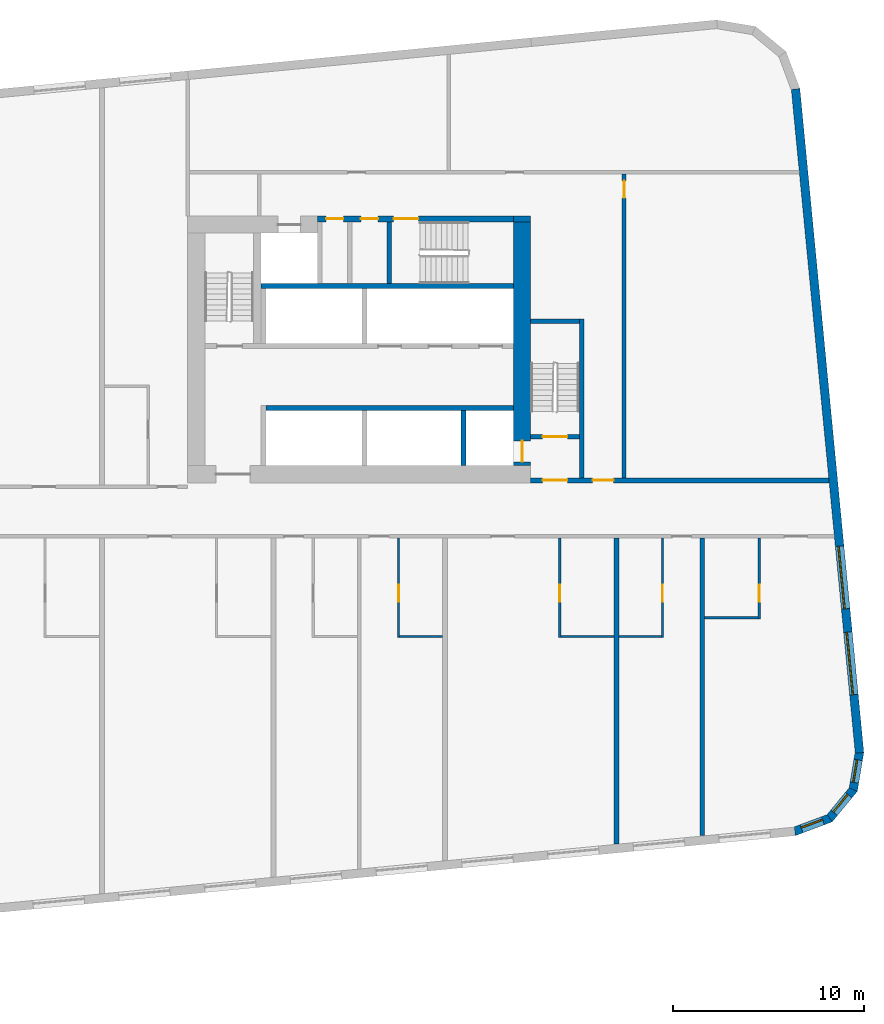
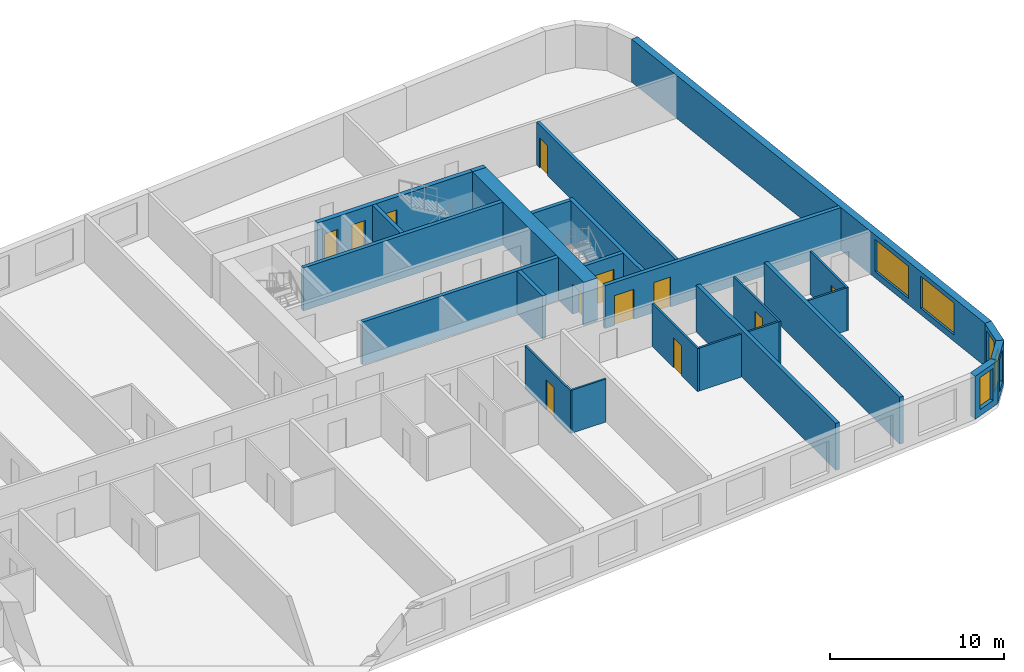
# One storey, part 7 of 12: 26 walls, 12 doors, 5 windows, 17 openings.
"""IFC4 building model written with IfcOpenShell, lengths in metres."""

from ifc_helpers import new_model, si_unit, direction, frame, frame_2d, origin, place, context, subcontext, project, spatial, polyline, rectangle, outline, extrude, material, layer, layer_set, type_object, element, fill, save


model = new_model("IFC4")

# Units and contexts
model_context = context("Model", 3, precision=1e-05, world=origin(), true_north=direction((0.0, 1.0)))
body_context = subcontext(model_context, "Body", "Model", "MODEL_VIEW")
ifc_project = project(units=[si_unit("LENGTHUNIT", "METRE"), si_unit("AREAUNIT", "SQUARE_METRE"), si_unit("VOLUMEUNIT", "CUBIC_METRE"), si_unit("PLANEANGLEUNIT", "RADIAN"), si_unit("MASSUNIT", "GRAM", prefix="KILO")], contexts=[model_context])

# Site, building, storey
site_placement = place(None, origin())
site = spatial("IfcSite", under=ifc_project, at=site_placement, CompositionType="ELEMENT")
building_placement = place(site_placement, origin())
building = spatial("IfcBuilding", under=site, at=building_placement, Name="Kajstack Hotel Tower", CompositionType="ELEMENT")
storey_placement = place(building_placement, frame((0.0, 0.0, 143.800048828125)))
storey = spatial("IfcBuildingStorey", under=building, at=storey_placement, Name="L33", CompositionType="ELEMENT", Elevation=143.800048828125)

# Wall
ifc_material_1 = material(Name="Concrete C60/75", Category="concrete")
ifc_layer_1 = layer(ifc_material_1, 0.89990234375)
ifc_layer_set_1 = layer_set([ifc_layer_1], Name="Core wall 900")
wall_type_1 = type_object("IfcWallType", Name="Core wall 900", PredefinedType="SHEAR", material=ifc_layer_set_1)
wall_1_placement = place(storey_placement, frame((30.60009765625, 15.35009765625, 0.0), z_axis=(0.0, 0.0, 1.0), x_axis=(1.0, 0.0, 0.0)))
element("IfcWall", 1, at=wall_1_placement, inside=storey, type_object=wall_type_1, Name="Core wall E RSW", PredefinedType="SHEAR", context=body_context, shape_type="SweptSolid", body=[
    extrude(rectangle(XDim=0.89990234375, YDim=0.300048828125, at=frame_2d((0.449951171875, 0.0))), origin(), (0.0, 0.0, 1.0), 3.02001953125),
])

# Wall, opening, door
wall_2_placement = place(storey_placement, frame((31.050048828125, 2.39990234375, 0.0), z_axis=(0.0, 0.0, 1.0), x_axis=(0.0, 1.0, 0.0)))
wall_2 = element("IfcWall", 2, at=wall_2_placement, inside=storey, type_object=wall_type_1, Name="Core wall E RW", PredefinedType="SHEAR", context=body_context, shape_type="SweptSolid", body=[
    extrude(rectangle(XDim=12.800048828125, YDim=0.89990234375, at=frame_2d((6.39990234375, 0.0))), origin(), (0.0, 0.0, 1.0), 3.02001953125),
])
opening_1_placement = place(wall_2_placement, frame((0.199951171875, 0.0, 0.0)))
opening_1 = element("IfcOpeningElement", 3, at=opening_1_placement, cuts=wall_2, Name="Opening LD-FF2", PredefinedType="OPENING", context=body_context, shape_type="SweptSolid", body=[
    extrude(rectangle(XDim=1.10009765625, YDim=2.10009765625, at=frame_2d((0.550048828125, 1.050048828125))), frame((0.0, 0.4599609375, 0.0), z_axis=(0.0, -1.0, 0.0), x_axis=(1.0, 0.0, 0.0)), (0.0, 0.0, 1.0), 0.919921875),
])
ifc_material_2 = material(Name="Stainless steel", Category="steel")
door_type_1 = type_object("IfcDoorType", Name="Fire-fighting lift landing door 1100", OperationType="SLIDING_TO_LEFT", PredefinedType="DOOR", material=ifc_material_2)
door_1_placement = place(opening_1_placement, origin())
door_1 = element("IfcDoor", 4, at=door_1_placement, inside=storey, type_object=door_type_1, Name="Landing door FF2", OperationType="SLIDING_TO_LEFT", OverallHeight=2.10009765625, OverallWidth=1.10009765625, PredefinedType="DOOR", context=body_context, shape_type="SweptSolid", body=[
    extrude(rectangle(XDim=1.10009765625, YDim=2.10009765625, at=frame_2d((0.550048828125, 1.050048828125))), frame((0.0, 0.02490234375, 0.0), z_axis=(0.0, -1.0, 0.0), x_axis=(1.0, 0.0, 0.0)), (0.0, 0.0, 1.0), 0.050048828125),
])
fill(opening_1, door_1)

# Wall, opening, window
ifc_material_3 = material(Name="Terracotta-faced brick masonry", Category="masonry")
ifc_layer_2 = layer(ifc_material_3, 0.449951171875)
ifc_layer_set_2 = layer_set([ifc_layer_2], Name="EW-TERRA")
wall_type_2 = type_object("IfcWallType", Name="EW-TERRA", PredefinedType="SOLIDWALL", material=ifc_layer_set_2)
wall_3_placement = place(storey_placement, frame((45.300048828125, -16.804443359375, 0.0), z_axis=(0.0, 0.0, 1.0), x_axis=(0.936677599948, 0.350192909346, 0.0)))
wall_3 = element("IfcWall", 5, at=wall_3_placement, inside=storey, type_object=wall_type_2, Name="E-wall-L33-05-00", PredefinedType="SOLIDWALL", context=body_context, shape_type="SweptSolid", body=[
    extrude(outline(polyline([(0.0, -0.224853515625), (2.070556640625, -0.224853515625), (1.949951171875, 0.22509765625), (0.12060546875, 0.22509765625), (0.0, -0.224853515625)])), origin(), (0.0, 0.0, 1.0), 3.02001953125),
])
opening_2_placement = place(wall_3_placement, frame((0.435302734375, 0.0, 0.449951171875)))
opening_2 = element("IfcOpeningElement", 6, at=opening_2_placement, cuts=wall_3, Name="Opening W3", PredefinedType="OPENING", context=body_context, shape_type="SweptSolid", body=[
    extrude(rectangle(XDim=1.199951171875, YDim=2.25, at=frame_2d((0.60009765625, 1.125))), frame((0.0, 0.23486328125, 0.0), z_axis=(0.0, -1.0, 0.0), x_axis=(1.0, 0.0, 0.0)), (0.0, 0.0, 1.0), 0.469970703125),
])
ifc_material_4 = material(Name="Timber-aluminium window, triple glazed", Category="wood")
window_type_1 = type_object("IfcWindowType", Name="WG3", PartitioningType="SINGLE_PANEL", PredefinedType="WINDOW", material=ifc_material_4)
window_1_placement = place(opening_2_placement, origin())
window_1 = element("IfcWindow", 7, at=window_1_placement, inside=storey, type_object=window_type_1, Name="Window W3 L33-05", OverallHeight=2.25, OverallWidth=1.199951171875, PartitioningType="SINGLE_PANEL", PredefinedType="WINDOW", context=body_context, shape_type="SweptSolid", body=[
    extrude(rectangle(XDim=1.199951171875, YDim=2.25, at=frame_2d((0.60009765625, 1.125))), frame((0.0, 0.090087890625, 0.0), z_axis=(0.0, -1.0, 0.0), x_axis=(1.0, 0.0, 0.0)), (0.0, 0.0, 1.0), 0.06005859375),
])
fill(opening_2, window_1)

wall_4_placement = place(storey_placement, frame((47.144775390625, -16.14697265625, 0.0), z_axis=(0.0, 0.0, 1.0), x_axis=(0.635988241739, 0.771698747161, 0.0)))
wall_4 = element("IfcWall", 8, at=wall_4_placement, inside=storey, type_object=wall_type_2, Name="E-wall-L33-06-00", PredefinedType="SOLIDWALL", context=body_context, shape_type="SweptSolid", body=[
    extrude(outline(polyline([(0.0, -0.224853515625), (2.070556640625, -0.22509765625), (1.949951171875, 0.224853515625), (0.12060546875, 0.22509765625), (0.0, -0.224853515625)])), origin(), (0.0, 0.0, 1.0), 3.02001953125),
])
opening_3_placement = place(wall_4_placement, frame((0.435302734375, 0.0, 0.449951171875)))
opening_3 = element("IfcOpeningElement", 9, at=opening_3_placement, cuts=wall_4, Name="Opening W3", PredefinedType="OPENING", context=body_context, shape_type="SweptSolid", body=[
    extrude(rectangle(XDim=1.199951171875, YDim=2.25, at=frame_2d((0.60009765625, 1.125))), frame((0.0, 0.23486328125, 0.0), z_axis=(0.0, -1.0, 0.0), x_axis=(1.0, 0.0, 0.0)), (0.0, 0.0, 1.0), 0.469970703125),
])
window_2_placement = place(opening_3_placement, origin())
window_2 = element("IfcWindow", 10, at=window_2_placement, inside=storey, type_object=window_type_1, Name="Window W3 L33-06", OverallHeight=2.25, OverallWidth=1.199951171875, PartitioningType="SINGLE_PANEL", PredefinedType="WINDOW", context=body_context, shape_type="SweptSolid", body=[
    extrude(rectangle(XDim=1.199951171875, YDim=2.25, at=frame_2d((0.60009765625, 1.125))), frame((0.0, 0.090087890625, 0.0), z_axis=(0.0, -1.0, 0.0), x_axis=(1.0, 0.0, 0.0)), (0.0, 0.0, 1.0), 0.06005859375),
])
fill(opening_3, window_2)

wall_5_placement = place(storey_placement, frame((48.413330078125, -14.6552734375, 0.0), z_axis=(0.0, 0.0, 1.0), x_axis=(0.165068144653, 0.986282164302, 0.0)))
wall_5 = element("IfcWall", 11, at=wall_5_placement, inside=storey, type_object=wall_type_2, Name="E-wall-L33-07-00", PredefinedType="SOLIDWALL", context=body_context, shape_type="SweptSolid", body=[
    extrude(outline(polyline([(0.0, -0.22509765625), (2.07080078125, -0.224853515625), (1.9501953125, 0.22509765625), (0.12060546875, 0.224853515625), (0.0, -0.22509765625)])), origin(), (0.0, 0.0, 1.0), 3.02001953125),
])
opening_4_placement = place(wall_5_placement, frame((0.435302734375, 0.0, 0.449951171875)))
opening_4 = element("IfcOpeningElement", 12, at=opening_4_placement, cuts=wall_5, Name="Opening W3", PredefinedType="OPENING", context=body_context, shape_type="SweptSolid", body=[
    extrude(rectangle(XDim=1.199951171875, YDim=2.25, at=frame_2d((0.60009765625, 1.125))), frame((0.0, 0.23486328125, 0.0), z_axis=(0.0, -1.0, 0.0), x_axis=(1.0, 0.0, 0.0)), (0.0, 0.0, 1.0), 0.469970703125),
])
window_3_placement = place(opening_4_placement, origin())
window_3 = element("IfcWindow", 13, at=window_3_placement, inside=storey, type_object=window_type_1, Name="Window W3 L33-07", OverallHeight=2.25, OverallWidth=1.199951171875, PartitioningType="SINGLE_PANEL", PredefinedType="WINDOW", context=body_context, shape_type="SweptSolid", body=[
    extrude(rectangle(XDim=1.199951171875, YDim=2.25, at=frame_2d((0.60009765625, 1.125))), frame((0.0, 0.090087890625, 0.0), z_axis=(0.0, -1.0, 0.0), x_axis=(1.0, 0.0, 0.0)), (0.0, 0.0, 1.0), 0.06005859375),
])
fill(opening_4, window_3)

# Wall, openings, windows
wall_6_placement = place(storey_placement, frame((48.7529296875, -12.671630859375, 0.0), z_axis=(0.0, 0.0, 1.0), x_axis=(-0.095842661909, 0.995396495954, 0.0)))
wall_6 = element("IfcWall", 14, at=wall_6_placement, inside=storey, type_object=wall_type_2, Name="E-wall-L33-08-00", PredefinedType="SOLIDWALL", context=body_context, shape_type="SweptSolid", body=[
    extrude(rectangle(XDim=35.0, YDim=0.449951171875, at=frame_2d((17.5, 0.0))), origin(), (0.0, 0.0, 1.0), 3.02001953125),
])
opening_5_placement = place(wall_6_placement, frame((3.07177734375, 0.0, 0.449951171875)))
opening_5 = element("IfcOpeningElement", 15, at=opening_5_placement, cuts=wall_6, Name="Opening W2", PredefinedType="OPENING", context=body_context, shape_type="SweptSolid", body=[
    extrude(rectangle(XDim=3.300048828125, YDim=2.25, at=frame_2d((1.64990234375, 1.125))), frame((0.0, 0.23486328125, 0.0), z_axis=(0.0, -1.0, 0.0), x_axis=(1.0, 0.0, 0.0)), (0.0, 0.0, 1.0), 0.469970703125),
])
opening_6_placement = place(wall_6_placement, frame((7.592529296875, 0.0, 0.449951171875)))
opening_6 = element("IfcOpeningElement", 16, at=opening_6_placement, cuts=wall_6, Name="Opening W2", PredefinedType="OPENING", context=body_context, shape_type="SweptSolid", body=[
    extrude(rectangle(XDim=3.300048828125, YDim=2.25, at=frame_2d((1.64990234375, 1.125))), frame((0.0, 0.23486328125, 0.0), z_axis=(0.0, -1.0, 0.0), x_axis=(1.0, 0.0, 0.0)), (0.0, 0.0, 1.0), 0.469970703125),
])
window_type_2 = type_object("IfcWindowType", Name="WG2", PartitioningType="SINGLE_PANEL", PredefinedType="WINDOW", material=ifc_material_4)
window_4_placement = place(opening_5_placement, origin())
window_4 = element("IfcWindow", 17, at=window_4_placement, inside=storey, type_object=window_type_2, Name="Window W2 L33-08", OverallHeight=2.25, OverallWidth=3.300048828125, PartitioningType="SINGLE_PANEL", PredefinedType="WINDOW", context=body_context, shape_type="SweptSolid", body=[
    extrude(rectangle(XDim=3.300048828125, YDim=2.25, at=frame_2d((1.64990234375, 1.125))), frame((0.0, 0.090087890625, 0.0), z_axis=(0.0, -1.0, 0.0), x_axis=(1.0, 0.0, 0.0)), (0.0, 0.0, 1.0), 0.06005859375),
])
fill(opening_5, window_4)
window_5_placement = place(opening_6_placement, origin())
window_5 = element("IfcWindow", 18, at=window_5_placement, inside=storey, type_object=window_type_2, Name="Window W2 L33-08", OverallHeight=2.25, OverallWidth=3.300048828125, PartitioningType="SINGLE_PANEL", PredefinedType="WINDOW", context=body_context, shape_type="SweptSolid", body=[
    extrude(rectangle(XDim=3.300048828125, YDim=2.25, at=frame_2d((1.64990234375, 1.125))), frame((0.0, 0.090087890625, 0.0), z_axis=(0.0, -1.0, 0.0), x_axis=(1.0, 0.0, 0.0)), (0.0, 0.0, 1.0), 0.06005859375),
])
fill(opening_6, window_5)

# Wall, opening, door
ifc_material_5 = material(Name="Gypsum board and tiled backer on steel studs", Category="steel")
ifc_layer_3 = layer(ifc_material_5, 0.125)
ifc_layer_set_3 = layer_set([ifc_layer_3], Name="En-suite wall 125")
wall_type_3 = type_object("IfcWallType", Name="En-suite wall 125", PredefinedType="PARTITIONING", material=ifc_layer_set_3)
wall_7_placement = place(storey_placement, frame((24.56201171875, -6.625, 0.0), z_axis=(0.0, 0.0, 1.0), x_axis=(0.0, 1.0, 0.0)))
wall_7 = element("IfcWall", 19, at=wall_7_placement, inside=storey, type_object=wall_type_3, Name="G-wall-L33-030", PredefinedType="PARTITIONING", context=body_context, shape_type="SweptSolid", body=[
    extrude(rectangle(XDim=5.22509765625, YDim=0.125, at=frame_2d((2.612548828125, 0.0))), origin(), (0.0, 0.0, 1.0), 3.02001953125),
])
opening_7_placement = place(wall_7_placement, frame((1.875, 0.0, 0.0)))
opening_7 = element("IfcOpeningElement", 20, at=opening_7_placement, cuts=wall_7, Name="Opening 33026", PredefinedType="OPENING", context=body_context, shape_type="SweptSolid", body=[
    extrude(rectangle(XDim=0.89990234375, YDim=2.10009765625, at=frame_2d((0.449951171875, 1.050048828125))), frame((0.0, 0.072509765625, 0.0), z_axis=(0.0, -1.0, 0.0), x_axis=(1.0, 0.0, 0.0)), (0.0, 0.0, 1.0), 0.14501953125),
])
ifc_material_6 = material(Name="Painted timber door leaf", Category="wood")
door_type_2 = type_object("IfcDoorType", Name="Room door 900", OperationType="SINGLE_SWING_LEFT", PredefinedType="DOOR", material=ifc_material_6)
door_2_placement = place(opening_7_placement, origin())
door_2 = element("IfcDoor", 21, at=door_2_placement, inside=storey, type_object=door_type_2, Name="G-door-L33-26", OperationType="SINGLE_SWING_LEFT", OverallHeight=2.10009765625, OverallWidth=0.89990234375, PredefinedType="DOOR", context=body_context, shape_type="SweptSolid", body=[
    extrude(rectangle(XDim=0.89990234375, YDim=2.10009765625, at=frame_2d((0.449951171875, 1.050048828125))), frame((0.0, 0.02490234375, 0.0), z_axis=(0.0, -1.0, 0.0), x_axis=(1.0, 0.0, 0.0)), (0.0, 0.0, 1.0), 0.050048828125),
])
fill(opening_7, door_2)

# Wall
wall_8_placement = place(storey_placement, frame((24.625, -6.56201171875, 0.0), z_axis=(0.0, 0.0, 1.0), x_axis=(1.0, 0.0, 0.0)))
element("IfcWall", 22, at=wall_8_placement, inside=storey, type_object=wall_type_3, Name="G-wall-L33-031", PredefinedType="PARTITIONING", context=body_context, shape_type="SweptSolid", body=[
    extrude(rectangle(XDim=2.25, YDim=0.125, at=frame_2d((1.125, 0.0))), origin(), (0.0, 0.0, 1.0), 3.02001953125),
])

# Wall, opening, door
wall_9_placement = place(storey_placement, frame((33.012939453125, -6.625, 0.0), z_axis=(0.0, 0.0, 1.0), x_axis=(0.0, 1.0, 0.0)))
wall_9 = element("IfcWall", 23, at=wall_9_placement, inside=storey, type_object=wall_type_3, Name="G-wall-L33-032", PredefinedType="PARTITIONING", context=body_context, shape_type="SweptSolid", body=[
    extrude(rectangle(XDim=5.22509765625, YDim=0.125, at=frame_2d((2.612548828125, 0.0))), origin(), (0.0, 0.0, 1.0), 3.02001953125),
])
opening_8_placement = place(wall_9_placement, frame((1.875, 0.0, 0.0)))
opening_8 = element("IfcOpeningElement", 24, at=opening_8_placement, cuts=wall_9, Name="Opening 33028", PredefinedType="OPENING", context=body_context, shape_type="SweptSolid", body=[
    extrude(rectangle(XDim=0.89990234375, YDim=2.10009765625, at=frame_2d((0.449951171875, 1.050048828125))), frame((0.0, 0.072509765625, 0.0), z_axis=(0.0, -1.0, 0.0), x_axis=(1.0, 0.0, 0.0)), (0.0, 0.0, 1.0), 0.14501953125),
])
door_3_placement = place(opening_8_placement, origin())
door_3 = element("IfcDoor", 25, at=door_3_placement, inside=storey, type_object=door_type_2, Name="G-door-L33-28", OperationType="SINGLE_SWING_RIGHT", OverallHeight=2.10009765625, OverallWidth=0.89990234375, PredefinedType="DOOR", context=body_context, shape_type="SweptSolid", body=[
    extrude(rectangle(XDim=0.89990234375, YDim=2.10009765625, at=frame_2d((0.449951171875, 1.050048828125))), frame((0.0, 0.02490234375, 0.0), z_axis=(0.0, -1.0, 0.0), x_axis=(1.0, 0.0, 0.0)), (0.0, 0.0, 1.0), 0.050048828125),
])
fill(opening_8, door_3)

# Wall
wall_10_placement = place(storey_placement, frame((33.074951171875, -6.56201171875, 0.0), z_axis=(0.0, 0.0, 1.0), x_axis=(1.0, 0.0, 0.0)))
element("IfcWall", 26, at=wall_10_placement, inside=storey, type_object=wall_type_3, Name="G-wall-L33-033", PredefinedType="PARTITIONING", context=body_context, shape_type="SweptSolid", body=[
    extrude(rectangle(XDim=2.800048828125, YDim=0.125, at=frame_2d((1.39990234375, 0.0))), origin(), (0.0, 0.0, 1.0), 3.02001953125),
])

# Wall, opening, door
wall_11_placement = place(storey_placement, frame((38.4130859375, -6.625, 0.0), z_axis=(0.0, 0.0, 1.0), x_axis=(0.0, 1.0, 0.0)))
wall_11 = element("IfcWall", 27, at=wall_11_placement, inside=storey, type_object=wall_type_3, Name="G-wall-L33-034", PredefinedType="PARTITIONING", context=body_context, shape_type="SweptSolid", body=[
    extrude(rectangle(XDim=5.22509765625, YDim=0.125, at=frame_2d((2.612548828125, 0.0))), origin(), (0.0, 0.0, 1.0), 3.02001953125),
])
opening_9_placement = place(wall_11_placement, frame((1.875, 0.0, 0.0)))
opening_9 = element("IfcOpeningElement", 28, at=opening_9_placement, cuts=wall_11, Name="Opening 33030", PredefinedType="OPENING", context=body_context, shape_type="SweptSolid", body=[
    extrude(rectangle(XDim=0.89990234375, YDim=2.10009765625, at=frame_2d((0.449951171875, 1.050048828125))), frame((0.0, 0.072509765625, 0.0), z_axis=(0.0, -1.0, 0.0), x_axis=(1.0, 0.0, 0.0)), (0.0, 0.0, 1.0), 0.14501953125),
])
door_4_placement = place(opening_9_placement, origin())
door_4 = element("IfcDoor", 29, at=door_4_placement, inside=storey, type_object=door_type_2, Name="G-door-L33-30", OperationType="SINGLE_SWING_RIGHT", OverallHeight=2.10009765625, OverallWidth=0.89990234375, PredefinedType="DOOR", context=body_context, shape_type="SweptSolid", body=[
    extrude(rectangle(XDim=0.89990234375, YDim=2.10009765625, at=frame_2d((0.449951171875, 1.050048828125))), frame((0.0, 0.02490234375, 0.0), z_axis=(0.0, -1.0, 0.0), x_axis=(1.0, 0.0, 0.0)), (0.0, 0.0, 1.0), 0.050048828125),
])
fill(opening_9, door_4)

# Wall
wall_12_placement = place(storey_placement, frame((36.125, -6.56201171875, 0.0), z_axis=(0.0, 0.0, 1.0), x_axis=(1.0, 0.0, 0.0)))
element("IfcWall", 30, at=wall_12_placement, inside=storey, type_object=wall_type_3, Name="G-wall-L33-035", PredefinedType="PARTITIONING", context=body_context, shape_type="SweptSolid", body=[
    extrude(rectangle(XDim=2.22509765625, YDim=0.125, at=frame_2d((1.112548828125, 0.0))), origin(), (0.0, 0.0, 1.0), 3.02001953125),
])

# Wall, opening, door
wall_13_placement = place(storey_placement, frame((43.487060546875, -5.634033203125, 0.0), z_axis=(0.0, 0.0, 1.0), x_axis=(0.0, 1.0, 0.0)))
wall_13 = element("IfcWall", 31, at=wall_13_placement, inside=storey, type_object=wall_type_3, Name="G-wall-L33-036", PredefinedType="PARTITIONING", context=body_context, shape_type="SweptSolid", body=[
    extrude(rectangle(XDim=4.234130859375, YDim=0.125, at=frame_2d((2.1171875, 0.0))), origin(), (0.0, 0.0, 1.0), 3.02001953125),
])
opening_10_placement = place(wall_13_placement, frame((0.884033203125, 0.0, 0.0)))
opening_10 = element("IfcOpeningElement", 32, at=opening_10_placement, cuts=wall_13, Name="Opening 33032", PredefinedType="OPENING", context=body_context, shape_type="SweptSolid", body=[
    extrude(rectangle(XDim=0.89990234375, YDim=2.10009765625, at=frame_2d((0.449951171875, 1.050048828125))), frame((0.0, 0.072509765625, 0.0), z_axis=(0.0, -1.0, 0.0), x_axis=(1.0, 0.0, 0.0)), (0.0, 0.0, 1.0), 0.14501953125),
])
door_5_placement = place(opening_10_placement, origin())
door_5 = element("IfcDoor", 33, at=door_5_placement, inside=storey, type_object=door_type_2, Name="G-door-L33-32", OperationType="SINGLE_SWING_RIGHT", OverallHeight=2.10009765625, OverallWidth=0.89990234375, PredefinedType="DOOR", context=body_context, shape_type="SweptSolid", body=[
    extrude(rectangle(XDim=0.89990234375, YDim=2.10009765625, at=frame_2d((0.449951171875, 1.050048828125))), frame((0.0, 0.02490234375, 0.0), z_axis=(0.0, -1.0, 0.0), x_axis=(1.0, 0.0, 0.0)), (0.0, 0.0, 1.0), 0.050048828125),
])
fill(opening_10, door_5)

# Walls
wall_14_placement = place(storey_placement, frame((40.625, -5.572021484375, 0.0), z_axis=(0.0, 0.0, 1.0), x_axis=(1.0, 0.0, 0.0)))
element("IfcWall", 34, at=wall_14_placement, inside=storey, type_object=wall_type_3, Name="G-wall-L33-037", PredefinedType="PARTITIONING", context=body_context, shape_type="SweptSolid", body=[
    extrude(rectangle(XDim=2.800048828125, YDim=0.125, at=frame_2d((1.39990234375, 0.0))), origin(), (0.0, 0.0, 1.0), 3.02001953125),
])
ifc_material_7 = material(Name="Concrete C55/67", Category="concrete")
ifc_layer_4 = layer(ifc_material_7, 0.25)
ifc_layer_set_4 = layer_set([ifc_layer_4], Name="RC cross wall 250 C55/67")
wall_type_4 = type_object("IfcWallType", Name="RC cross wall 250 C55/67", PredefinedType="SHEAR", material=ifc_layer_set_4)
wall_15_placement = place(storey_placement, frame((36.0, -17.444091796875, 0.0), z_axis=(0.0, 0.0, 1.0), x_axis=(0.0, 1.0, 0.0)))
element("IfcWall", 35, at=wall_15_placement, inside=storey, type_object=wall_type_4, Name="S-wall-L33-12", PredefinedType="SHEAR", context=body_context, shape_type="SweptSolid", body=[
    extrude(rectangle(XDim=16.044189453125, YDim=0.25, at=frame_2d((8.02197265625, 0.0))), origin(), (0.0, 0.0, 1.0), 3.300048828125),
])
wall_16_placement = place(storey_placement, frame((40.5, -17.0107421875, 0.0), z_axis=(0.0, 0.0, 1.0), x_axis=(0.0, 1.0, 0.0)))
element("IfcWall", 36, at=wall_16_placement, inside=storey, type_object=wall_type_4, Name="S-wall-L33-13", PredefinedType="SHEAR", context=body_context, shape_type="SweptSolid", body=[
    extrude(rectangle(XDim=15.61083984375, YDim=0.25, at=frame_2d((7.805419921875, 0.0))), origin(), (0.0, 0.0, 1.0), 3.300048828125),
])

# Wall, openings, doors
ifc_material_8 = material(Name="Gypsum board on steel studs, mineral wool", Category="steel")
ifc_layer_5 = layer(ifc_material_8, 0.199951171875)
ifc_layer_set_5 = layer_set([ifc_layer_5], Name="Service partition 200")
wall_type_5 = type_object("IfcWallType", Name="Service partition 200", PredefinedType="PARTITIONING", material=ifc_layer_set_5)
wall_17_placement = place(storey_placement, frame((31.5, 1.625, 0.0), z_axis=(0.0, 0.0, 1.0), x_axis=(1.0, 0.0, 0.0)))
wall_17 = element("IfcWall", 37, at=wall_17_placement, inside=storey, type_object=wall_type_5, Name="Partition E SN", PredefinedType="PARTITIONING", context=body_context, shape_type="SweptSolid", body=[
    extrude(rectangle(XDim=15.650390625, YDim=0.25, at=frame_2d((7.8251953125, 0.0))), origin(), (0.0, 0.0, 1.0), 3.02001953125),
])
opening_11_placement = place(wall_17_placement, frame((0.625, 0.0, 0.0)))
opening_11 = element("IfcOpeningElement", 38, at=opening_11_placement, cuts=wall_17, Name="Opening 33E07", PredefinedType="OPENING", context=body_context, shape_type="SweptSolid", body=[
    extrude(rectangle(XDim=1.300048828125, YDim=2.10009765625, at=frame_2d((0.64990234375, 1.050048828125))), frame((0.0, 0.135009765625, 0.0), z_axis=(0.0, -1.0, 0.0), x_axis=(1.0, 0.0, 0.0)), (0.0, 0.0, 1.0), 0.27001953125),
])
opening_12_placement = place(wall_17_placement, frame((3.25, 0.0, 0.0)))
opening_12 = element("IfcOpeningElement", 39, at=opening_12_placement, cuts=wall_17, Name="Opening 33E09", PredefinedType="OPENING", context=body_context, shape_type="SweptSolid", body=[
    extrude(rectangle(XDim=1.10009765625, YDim=2.10009765625, at=frame_2d((0.550048828125, 1.050048828125))), frame((0.0, 0.135009765625, 0.0), z_axis=(0.0, -1.0, 0.0), x_axis=(1.0, 0.0, 0.0)), (0.0, 0.0, 1.0), 0.27001953125),
])
ifc_material_9 = material(Name="Steel leaf, fire-rated", Category="steel")
door_type_3 = type_object("IfcDoorType", Name="Fire lobby door 1300", OperationType="SINGLE_SWING_LEFT", PredefinedType="DOOR", material=ifc_material_9)
door_6_placement = place(opening_11_placement, origin())
door_6 = element("IfcDoor", 40, at=door_6_placement, inside=storey, type_object=door_type_3, Name="Door 33E07", OperationType="SINGLE_SWING_LEFT", OverallHeight=2.10009765625, OverallWidth=1.300048828125, PredefinedType="DOOR", context=body_context, shape_type="SweptSolid", body=[
    extrude(rectangle(XDim=1.300048828125, YDim=2.10009765625, at=frame_2d((0.64990234375, 1.050048828125))), frame((0.0, 0.02490234375, 0.0), z_axis=(0.0, -1.0, 0.0), x_axis=(1.0, 0.0, 0.0)), (0.0, 0.0, 1.0), 0.050048828125),
])
fill(opening_11, door_6)
ifc_material_10 = material(Name="Timber leaf, fire-rated", Category="wood")
door_type_4 = type_object("IfcDoorType", Name="Service corridor door 1100", OperationType="SINGLE_SWING_LEFT", PredefinedType="DOOR", material=ifc_material_10)
door_7_placement = place(opening_12_placement, origin())
door_7 = element("IfcDoor", 41, at=door_7_placement, inside=storey, type_object=door_type_4, Name="Door 33E09", OperationType="SINGLE_SWING_LEFT", OverallHeight=2.10009765625, OverallWidth=1.10009765625, PredefinedType="DOOR", context=body_context, shape_type="SweptSolid", body=[
    extrude(rectangle(XDim=1.10009765625, YDim=2.10009765625, at=frame_2d((0.550048828125, 1.050048828125))), frame((0.0, 0.02490234375, 0.0), z_axis=(0.0, -1.0, 0.0), x_axis=(1.0, 0.0, 0.0)), (0.0, 0.0, 1.0), 0.050048828125),
])
fill(opening_12, door_7)

# Wall, opening, door
wall_18_placement = place(storey_placement, frame((36.39990234375, 1.75, 0.0), z_axis=(0.0, 0.0, 1.0), x_axis=(0.0, 1.0, 0.0)))
wall_18 = element("IfcWall", 42, at=wall_18_placement, inside=storey, type_object=wall_type_5, Name="Partition E WRE", PredefinedType="PARTITIONING", context=body_context, shape_type="SweptSolid", body=[
    extrude(rectangle(XDim=15.949951171875, YDim=0.199951171875, at=frame_2d((7.97509765625, 0.0))), origin(), (0.0, 0.0, 1.0), 3.02001953125),
])
opening_13_placement = place(wall_18_placement, frame((14.699951171875, 0.0, 0.0)))
opening_13 = element("IfcOpeningElement", 43, at=opening_13_placement, cuts=wall_18, Name="Opening 33E16", PredefinedType="OPENING", context=body_context, shape_type="SweptSolid", body=[
    extrude(rectangle(XDim=0.89990234375, YDim=2.10009765625, at=frame_2d((0.449951171875, 1.050048828125))), frame((0.0, 0.10986328125, 0.0), z_axis=(0.0, -1.0, 0.0), x_axis=(1.0, 0.0, 0.0)), (0.0, 0.0, 1.0), 0.219970703125),
])
door_type_5 = type_object("IfcDoorType", Name="Service door 900", OperationType="SINGLE_SWING_LEFT", PredefinedType="DOOR", material=ifc_material_10)
door_8_placement = place(opening_13_placement, origin())
door_8 = element("IfcDoor", 44, at=door_8_placement, inside=storey, type_object=door_type_5, Name="Door 33E16", OperationType="SINGLE_SWING_RIGHT", OverallHeight=2.10009765625, OverallWidth=0.89990234375, PredefinedType="DOOR", context=body_context, shape_type="SweptSolid", body=[
    extrude(rectangle(XDim=0.89990234375, YDim=2.10009765625, at=frame_2d((0.449951171875, 1.050048828125))), frame((0.0, 0.02490234375, 0.0), z_axis=(0.0, -1.0, 0.0), x_axis=(1.0, 0.0, 0.0)), (0.0, 0.0, 1.0), 0.050048828125),
])
fill(opening_13, door_8)

# Wall, openings, doors
ifc_material_11 = material(Name="Concrete C50/60", Category="concrete")
ifc_layer_6 = layer(ifc_material_11, 0.25)
ifc_layer_set_6 = layer_set([ifc_layer_6], Name="Shaft wall 250")
wall_type_6 = type_object("IfcWallType", Name="Shaft wall 250", PredefinedType="SHEAR", material=ifc_layer_set_6)
wall_19_placement = place(storey_placement, frame((20.300048828125, 15.35009765625, 0.0), z_axis=(0.0, 0.0, 1.0), x_axis=(1.0, 0.0, 0.0)))
wall_19 = element("IfcWall", 45, at=wall_19_placement, inside=storey, type_object=wall_type_6, Name="Core wall E RSS", PredefinedType="SHEAR", context=body_context, shape_type="SweptSolid", body=[
    extrude(rectangle(XDim=10.300048828125, YDim=0.300048828125, at=frame_2d((5.14990234375, 0.0))), origin(), (0.0, 0.0, 1.0), 3.02001953125),
])
opening_14_placement = place(wall_19_placement, frame((4.0, 0.0, 0.0)))
opening_14 = element("IfcOpeningElement", 46, at=opening_14_placement, cuts=wall_19, Name="Opening 33E11", PredefinedType="OPENING", context=body_context, shape_type="SweptSolid", body=[
    extrude(rectangle(XDim=1.300048828125, YDim=2.10009765625, at=frame_2d((0.64990234375, 1.050048828125))), frame((0.0, 0.159912109375, 0.0), z_axis=(0.0, -1.0, 0.0), x_axis=(1.0, 0.0, 0.0)), (0.0, 0.0, 1.0), 0.320068359375),
])
opening_15_placement = place(wall_19_placement, frame((2.28759765625, 0.0, 0.0)))
opening_15 = element("IfcOpeningElement", 47, at=opening_15_placement, cuts=wall_19, Name="Opening 33E12", PredefinedType="OPENING", context=body_context, shape_type="SweptSolid", body=[
    extrude(rectangle(XDim=0.89990234375, YDim=2.10009765625, at=frame_2d((0.449951171875, 1.050048828125))), frame((0.0, 0.159912109375, 0.0), z_axis=(0.0, -1.0, 0.0), x_axis=(1.0, 0.0, 0.0)), (0.0, 0.0, 1.0), 0.320068359375),
])
opening_16_placement = place(wall_19_placement, frame((0.46240234375, 0.0, 0.0)))
opening_16 = element("IfcOpeningElement", 48, at=opening_16_placement, cuts=wall_19, Name="Opening 33E13", PredefinedType="OPENING", context=body_context, shape_type="SweptSolid", body=[
    extrude(rectangle(XDim=0.89990234375, YDim=2.10009765625, at=frame_2d((0.449951171875, 1.050048828125))), frame((0.0, 0.159912109375, 0.0), z_axis=(0.0, -1.0, 0.0), x_axis=(1.0, 0.0, 0.0)), (0.0, 0.0, 1.0), 0.320068359375),
])
door_9_placement = place(opening_15_placement, origin())
door_9 = element("IfcDoor", 49, at=door_9_placement, inside=storey, type_object=door_type_5, Name="Door 33E12", OperationType="SINGLE_SWING_RIGHT", OverallHeight=2.10009765625, OverallWidth=0.89990234375, PredefinedType="DOOR", context=body_context, shape_type="SweptSolid", body=[
    extrude(rectangle(XDim=0.89990234375, YDim=2.10009765625, at=frame_2d((0.449951171875, 1.050048828125))), frame((0.0, 0.02490234375, 0.0), z_axis=(0.0, -1.0, 0.0), x_axis=(1.0, 0.0, 0.0)), (0.0, 0.0, 1.0), 0.050048828125),
])
fill(opening_15, door_9)
door_10_placement = place(opening_16_placement, origin())
door_10 = element("IfcDoor", 50, at=door_10_placement, inside=storey, type_object=door_type_5, Name="Door 33E13", OperationType="SINGLE_SWING_RIGHT", OverallHeight=2.10009765625, OverallWidth=0.89990234375, PredefinedType="DOOR", context=body_context, shape_type="SweptSolid", body=[
    extrude(rectangle(XDim=0.89990234375, YDim=2.10009765625, at=frame_2d((0.449951171875, 1.050048828125))), frame((0.0, 0.02490234375, 0.0), z_axis=(0.0, -1.0, 0.0), x_axis=(1.0, 0.0, 0.0)), (0.0, 0.0, 1.0), 0.050048828125),
])
fill(opening_16, door_10)
door_type_6 = type_object("IfcDoorType", Name="Stair door 1300", OperationType="SINGLE_SWING_LEFT", PredefinedType="DOOR", material=ifc_material_9)
door_11_placement = place(opening_14_placement, origin())
door_11 = element("IfcDoor", 51, at=door_11_placement, inside=storey, type_object=door_type_6, Name="Door 33E11", OperationType="SINGLE_SWING_LEFT", OverallHeight=2.10009765625, OverallWidth=1.300048828125, PredefinedType="DOOR", context=body_context, shape_type="SweptSolid", body=[
    extrude(rectangle(XDim=1.300048828125, YDim=2.10009765625, at=frame_2d((0.64990234375, 1.050048828125))), frame((0.0, 0.02490234375, 0.0), z_axis=(0.0, -1.0, 0.0), x_axis=(1.0, 0.0, 0.0)), (0.0, 0.0, 1.0), 0.050048828125),
])
fill(opening_14, door_11)

# Walls
wall_20_placement = place(storey_placement, frame((17.60009765625, 5.425048828125, 0.0), z_axis=(0.0, 0.0, 1.0), x_axis=(1.0, 0.0, 0.0)))
element("IfcWall", 52, at=wall_20_placement, inside=storey, type_object=wall_type_6, Name="Core wall E FA", PredefinedType="SHEAR", context=body_context, shape_type="SweptSolid", body=[
    extrude(rectangle(XDim=13.0, YDim=0.25, at=frame_2d((6.5, 0.0))), origin(), (0.0, 0.0, 1.0), 3.02001953125),
])
wall_21_placement = place(storey_placement, frame((27.97509765625, 2.39990234375, 0.0), z_axis=(0.0, 0.0, 1.0), x_axis=(0.0, 1.0, 0.0)))
element("IfcWall", 53, at=wall_21_placement, inside=storey, type_object=wall_type_6, Name="Core wall E AP0", PredefinedType="SHEAR", context=body_context, shape_type="SweptSolid", body=[
    extrude(rectangle(XDim=2.900146484375, YDim=0.25, at=frame_2d((1.4501953125, 0.0))), origin(), (0.0, 0.0, 1.0), 3.02001953125),
])
wall_22_placement = place(storey_placement, frame((17.35009765625, 11.824951171875, 0.0), z_axis=(0.0, 0.0, 1.0), x_axis=(1.0, 0.0, 0.0)))
element("IfcWall", 54, at=wall_22_placement, inside=storey, type_object=wall_type_6, Name="Core wall E RB", PredefinedType="SHEAR", context=body_context, shape_type="SweptSolid", body=[
    extrude(rectangle(XDim=13.25, YDim=0.25, at=frame_2d((6.625, 0.0))), origin(), (0.0, 0.0, 1.0), 3.02001953125),
])

# Wall, opening, door
ifc_material_12 = material(Name="Concrete C40/50", Category="concrete")
ifc_layer_7 = layer(ifc_material_12, 0.25)
ifc_layer_set_7 = layer_set([ifc_layer_7], Name="Stair enclosure wall 250")
wall_type_7 = type_object("IfcWallType", Name="Stair enclosure wall 250", PredefinedType="SHEAR", material=ifc_layer_set_7)
wall_23_placement = place(storey_placement, frame((31.5, 3.925048828125, 0.0), z_axis=(0.0, 0.0, 1.0), x_axis=(1.0, 0.0, 0.0)))
wall_23 = element("IfcWall", 55, at=wall_23_placement, inside=storey, type_object=wall_type_7, Name="Core wall E W1N", PredefinedType="SHEAR", context=body_context, shape_type="SweptSolid", body=[
    extrude(rectangle(XDim=2.550048828125, YDim=0.25, at=frame_2d((1.27490234375, 0.0))), origin(), (0.0, 0.0, 1.0), 3.02001953125),
])
opening_17_placement = place(wall_23_placement, frame((0.625, 0.0, 0.0)))
opening_17 = element("IfcOpeningElement", 56, at=opening_17_placement, cuts=wall_23, Name="Opening 33E08", PredefinedType="OPENING", context=body_context, shape_type="SweptSolid", body=[
    extrude(rectangle(XDim=1.300048828125, YDim=2.10009765625, at=frame_2d((0.64990234375, 1.050048828125))), frame((0.0, 0.135009765625, 0.0), z_axis=(0.0, -1.0, 0.0), x_axis=(1.0, 0.0, 0.0)), (0.0, 0.0, 1.0), 0.27001953125),
])
door_12_placement = place(opening_17_placement, origin())
door_12 = element("IfcDoor", 57, at=door_12_placement, inside=storey, type_object=door_type_6, Name="Door 33E08", OperationType="SINGLE_SWING_LEFT", OverallHeight=2.10009765625, OverallWidth=1.300048828125, PredefinedType="DOOR", context=body_context, shape_type="SweptSolid", body=[
    extrude(rectangle(XDim=1.300048828125, YDim=2.10009765625, at=frame_2d((0.64990234375, 1.050048828125))), frame((0.0, 0.02490234375, 0.0), z_axis=(0.0, -1.0, 0.0), x_axis=(1.0, 0.0, 0.0)), (0.0, 0.0, 1.0), 0.050048828125),
])
fill(opening_17, door_12)

# Walls
wall_24_placement = place(storey_placement, frame((34.175048828125, 1.75, 0.0), z_axis=(0.0, 0.0, 1.0), x_axis=(0.0, 1.0, 0.0)))
element("IfcWall", 58, at=wall_24_placement, inside=storey, type_object=wall_type_7, Name="Core wall E W1W", PredefinedType="SHEAR", context=body_context, shape_type="SweptSolid", body=[
    extrude(rectangle(XDim=8.35009765625, YDim=0.25, at=frame_2d((4.175048828125, 0.0))), origin(), (0.0, 0.0, 1.0), 3.02001953125),
])
wall_25_placement = place(storey_placement, frame((31.5, 9.97509765625, 0.0), z_axis=(0.0, 0.0, 1.0), x_axis=(1.0, 0.0, 0.0)))
element("IfcWall", 59, at=wall_25_placement, inside=storey, type_object=wall_type_7, Name="Core wall E W1S", PredefinedType="SHEAR", context=body_context, shape_type="SweptSolid", body=[
    extrude(rectangle(XDim=2.550048828125, YDim=0.25, at=frame_2d((1.27490234375, 0.0))), origin(), (0.0, 0.0, 1.0), 3.02001953125),
])
ifc_layer_8 = layer(ifc_material_11, 0.35009765625)
ifc_layer_set_8 = layer_set([ifc_layer_8], Name="Stair enclosure wall 350")
wall_type_8 = type_object("IfcWallType", Name="Stair enclosure wall 350", PredefinedType="SHEAR", material=ifc_layer_set_8)
wall_26_placement = place(storey_placement, frame((24.074951171875, 11.949951171875, 0.0), z_axis=(0.0, 0.0, 1.0), x_axis=(0.0, 1.0, 0.0)))
element("IfcWall", 60, at=wall_26_placement, inside=storey, type_object=wall_type_8, Name="Core wall E W3E", PredefinedType="SHEAR", context=body_context, shape_type="SweptSolid", body=[
    extrude(rectangle(XDim=3.25, YDim=0.25, at=frame_2d((1.625, 0.0))), origin(), (0.0, 0.0, 1.0), 3.02001953125),
])

save(model, "model.ifc")
